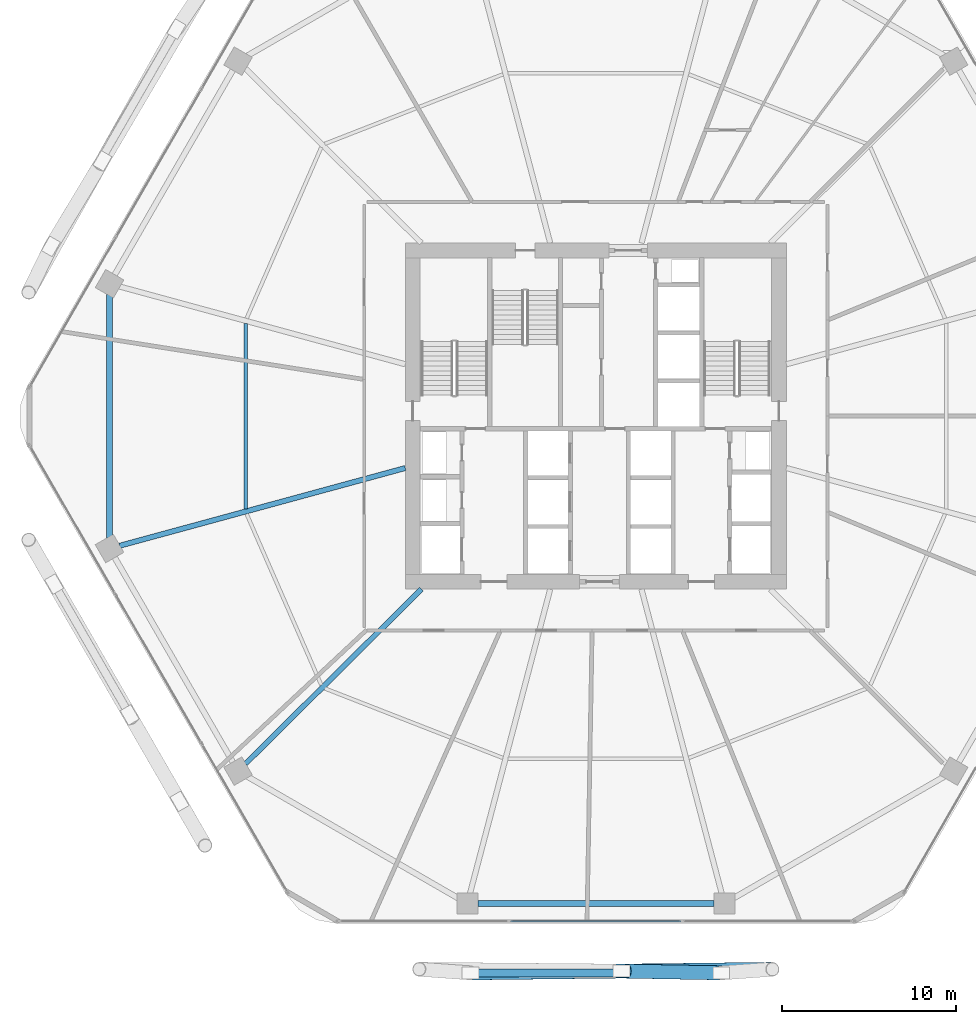
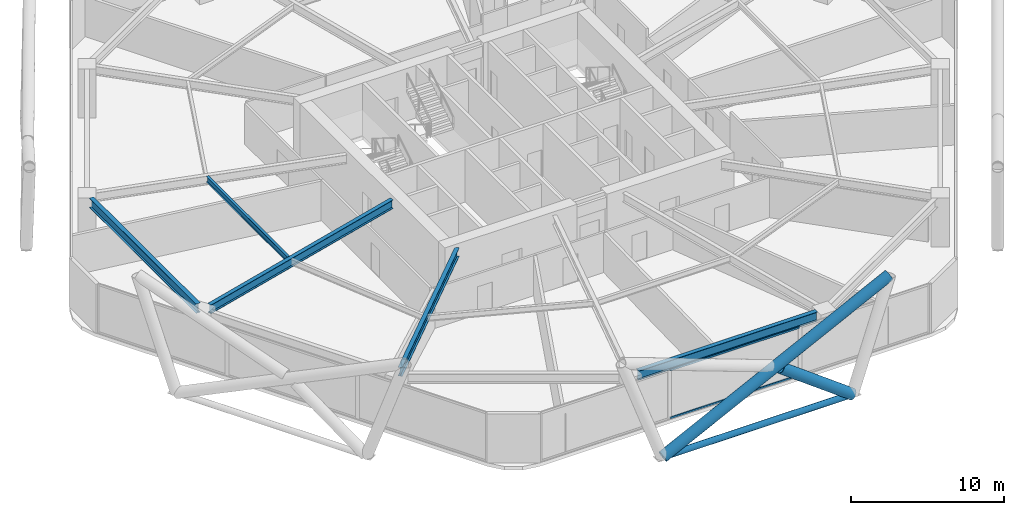
# One storey, part 6 of 28: 5 beams, 5 members, 1 element without a shape of its own.
"""IFC4 building model written with IfcOpenShell, lengths in metres."""

import ifcopenshell
import ifcopenshell.guid

model = None  # the IFC model being written
_history = None  # IfcOwnerHistory: only IFC2X3 demands one
_inside = {}  # id of a spatial element -> (the spatial element, [elements in it])
_under = {}  # id of a project, library or spatial element -> (it, [spatial elements below it])
_declared = {}  # id of a project -> (the project, [libraries it declares])
_typed = {}  # id of a type object -> (the type object, [elements of that type])
_made_of = {}  # id of a material, layer set ... -> (it, [elements and type objects made of it])


def new_model(schema):
    """Start an empty IFC model of exactly this schema.

    Asked for "IFC4X3", IfcOpenShell would pick the latest addendum, in which some entities
    have other attributes; the version numbers below select the first issue.
    IFC2X3 requires an IfcOwnerHistory on every rooted entity: one is made here for all.
    """
    global model, _history
    if schema == "IFC4X3":
        model = ifcopenshell.file(schema_version=(4, 3, 0, 0))
    else:
        model = ifcopenshell.file(schema=schema)
    _inside.clear()
    _under.clear()
    _declared.clear()
    _typed.clear()
    _made_of.clear()
    _history = None
    if model.schema == "IFC2X3":
        org = make("IfcOrganization", Name="unknown")
        user = make(
            "IfcPersonAndOrganization",
            ThePerson=make("IfcPerson", FamilyName="unknown"),
            TheOrganization=org,
        )
        app = make(
            "IfcApplication",
            ApplicationDeveloper=org,
            Version="unknown",
            ApplicationFullName="unknown",
            ApplicationIdentifier="unknown",
        )
        _history = make(
            "IfcOwnerHistory",
            OwningUser=user,
            OwningApplication=app,
            ChangeAction="ADDED",
            CreationDate=0,
        )
    return model


def make(cls, **values):
    """One entity of the class cls with the attributes given. An attribute that is None is left unset."""
    return model.create_entity(
        cls, **{name: value for name, value in values.items() if value is not None}
    )


def rooted(cls, **values):
    """An entity with a GlobalId (a new one), such as an element, a storey or a relation."""
    return make(cls, GlobalId=ifcopenshell.guid.new(), OwnerHistory=_history, **values)


def si_unit(unit_type, name, prefix=None):
    """IfcSIUnit, for example si_unit("LENGTHUNIT", "METRE", prefix="MILLI")."""
    return make("IfcSIUnit", UnitType=unit_type, Prefix=prefix, Name=name)


def assignment(units):
    """IfcUnitAssignment: the units of a project."""
    return None if units is None else make("IfcUnitAssignment", Units=units)


def point(xyz):
    """IfcCartesianPoint."""
    return None if xyz is None else make("IfcCartesianPoint", Coordinates=xyz)


def direction(xyz):
    """IfcDirection."""
    return None if xyz is None else make("IfcDirection", DirectionRatios=xyz)


def frame(location, z_axis=None, x_axis=None):
    """IfcAxis2Placement3D, a coordinate frame: its origin and axes. An axis left out is left unset."""
    return make(
        "IfcAxis2Placement3D",
        Location=point(location),
        Axis=direction(z_axis),
        RefDirection=direction(x_axis),
    )


def frame_2d(location, x_axis=None):
    """IfcAxis2Placement2D, a coordinate frame in the plane: its origin and x axis."""
    return make(
        "IfcAxis2Placement2D", Location=point(location), RefDirection=direction(x_axis)
    )


def origin():
    """The frame at (0, 0, 0) with its axes left unset."""
    return frame((0.0, 0.0, 0.0))


def origin_2d():
    """The frame at (0, 0) in the plane with its x axis left unset."""
    return frame_2d((0.0, 0.0))


def place(relative_to, where):
    """IfcLocalPlacement: puts the frame where relative to a parent placement (None: the world)."""
    return make(
        "IfcLocalPlacement", PlacementRelTo=relative_to, RelativePlacement=where
    )


def context(
    kind, dimensions, precision=None, world=None, true_north=None, identifier=None
):
    """IfcGeometricRepresentationContext, for example the 3D "Model" context."""
    return make(
        "IfcGeometricRepresentationContext",
        ContextIdentifier=identifier,
        ContextType=kind,
        CoordinateSpaceDimension=dimensions,
        Precision=precision,
        WorldCoordinateSystem=world,
        TrueNorth=true_north,
    )


def subcontext(parent, identifier, kind, view, scale=None):
    """IfcGeometricRepresentationSubContext, for example "Body" below "Model"."""
    return make(
        "IfcGeometricRepresentationSubContext",
        ContextIdentifier=identifier,
        ContextType=kind,
        ParentContext=parent,
        TargetScale=scale,
        TargetView=view,
    )


def project(units=None, contexts=None):
    """IfcProject with its units and contexts."""
    return rooted(
        "IfcProject",
        Name="project",
        RepresentationContexts=contexts,
        UnitsInContext=assignment(units),
    )


def spatial(cls, under=None, at=None, **own):
    """A site, building, storey or space (cls), placed at a placement, below another one or the project."""
    s = rooted(cls, ObjectPlacement=at, **own)
    if under is not None:
        _under.setdefault(under.id(), (under, []))[1].append(s)
    return s


def profile(cls, at=None, kind="AREA", **sizes):
    """A parametric profile (cls). Its sizes go by their IFC names, for example OverallWidth=200.0."""
    return make(cls, ProfileType=kind, Position=at, **sizes)


def hollow_rectangle(**sizes):
    """IfcRectangleHollowProfileDef."""
    return profile("IfcRectangleHollowProfileDef", **sizes)


def hollow_circle(**sizes):
    """IfcCircleHollowProfileDef."""
    return profile("IfcCircleHollowProfileDef", **sizes)


def i_section(**sizes):
    """IfcIShapeProfileDef."""
    return profile("IfcIShapeProfileDef", **sizes)


def extrude(swept, where, along, depth):
    """IfcExtrudedAreaSolid: the profile swept, set in the frame where, extruded along a direction by depth."""
    return make(
        "IfcExtrudedAreaSolid",
        SweptArea=swept,
        Position=where,
        ExtrudedDirection=direction(along),
        Depth=depth,
    )


def shape(context_of_items, identifier, shape_type, items):
    """IfcShapeRepresentation: the items that make up one representation, for example the "Body"."""
    return make(
        "IfcShapeRepresentation",
        ContextOfItems=context_of_items,
        RepresentationIdentifier=identifier,
        RepresentationType=shape_type,
        Items=items,
    )


def material(Name=None, Category=None):
    """IfcMaterial."""
    return make("IfcMaterial", Name=Name, Category=Category)


def material_profile(
    of_material, cross_section, Name=None, Category=None, Priority=None
):
    """IfcMaterialProfile: a cross section and its material."""
    return make(
        "IfcMaterialProfile",
        Name=Name,
        Material=of_material,
        Profile=cross_section,
        Priority=Priority,
        Category=Category,
    )


def profile_set(profiles, Name=None, composite=None):
    """IfcMaterialProfileSet."""
    return make(
        "IfcMaterialProfileSet",
        Name=Name,
        MaterialProfiles=profiles,
        CompositeProfile=composite,
    )


def made_of(thing, what):
    """Note that an element or type object is made of a material, layer set ...; save() writes the relation."""
    if what is not None:
        _made_of.setdefault(what.id(), (what, []))[1].append(thing)
    return thing


def type_object(cls, material=None, **own):
    """A type object (cls), such as IfcWallType, which elements share."""
    return made_of(rooted(cls, **own), material)


def element(
    cls,
    number,
    at=None,
    inside=None,
    cuts=None,
    type_object=None,
    material=None,
    context=None,
    identifier="Body",
    shape_type=None,
    held_by="IfcProductDefinitionShape",
    body=None,
    shapes=None,
    **own,
):
    """One element of the class cls, such as IfcWall. Its Tag is "e" and its number.

    at: its placement. inside: the storey or other place that contains it. cuts: it is an
    opening in that element (IfcRelVoidsElement). A single representation is given by context,
    identifier, shape_type and body (its items); several are given by shapes. held_by: the class
    of the entity that holds the representations. save() writes the other relations.
    """
    e = rooted(cls, Tag="e%d" % number, ObjectPlacement=at, **own)
    if body is not None:
        shapes = [shape(context, identifier, shape_type, body)]
    if shapes is not None:
        e.Representation = make(held_by, Representations=shapes)
    if inside is not None:
        _inside.setdefault(inside.id(), (inside, []))[1].append(e)
    if cuts is not None:
        rooted(
            "IfcRelVoidsElement", RelatingBuildingElement=cuts, RelatedOpeningElement=e
        )
    if type_object is not None:
        _typed.setdefault(type_object.id(), (type_object, []))[1].append(e)
    return made_of(e, material)


def aggregate(whole, parts):
    """IfcRelAggregates: a whole, such as a stair, and the parts it consists of."""
    return rooted("IfcRelAggregates", RelatingObject=whole, RelatedObjects=parts)


def save(model, path):
    """Write the relations noted so far, then the file.

    IfcRelAggregates (storeys below a building ...), IfcRelContainedInSpatialStructure (elements
    in a storey), IfcRelDefinesByType, IfcRelAssociatesMaterial and IfcRelDeclares: one each for
    every whole, place, type object, material and project.
    """
    for whole, parts in _under.values():
        aggregate(whole, parts)
    for where, things in _inside.values():
        rooted(
            "IfcRelContainedInSpatialStructure",
            RelatedElements=things,
            RelatingStructure=where,
        )
    for kind, things in _typed.values():
        rooted("IfcRelDefinesByType", RelatedObjects=things, RelatingType=kind)
    for what, things in _made_of.values():
        rooted("IfcRelAssociatesMaterial", RelatedObjects=things, RelatingMaterial=what)
    for by, libraries in _declared.values():
        rooted("IfcRelDeclares", RelatingContext=by, RelatedDefinitions=libraries)
    model.write(path)


model = new_model("IFC4")

# Units and contexts
model_context = context("Model", 3, precision=1e-05, world=origin(), true_north=direction((0.0, 1.0)))
body_context = subcontext(model_context, "Body", "Model", "MODEL_VIEW")
ifc_project = project(units=[si_unit("LENGTHUNIT", "METRE"), si_unit("AREAUNIT", "SQUARE_METRE"), si_unit("VOLUMEUNIT", "CUBIC_METRE"), si_unit("PLANEANGLEUNIT", "RADIAN"), si_unit("MASSUNIT", "GRAM", prefix="KILO")], contexts=[model_context])

# Site, building, storey
site_placement = place(None, origin())
site = spatial("IfcSite", under=ifc_project, at=site_placement, CompositionType="ELEMENT")
building_placement = place(site_placement, origin())
building = spatial("IfcBuilding", under=site, at=building_placement, Name="Zuhravey Tower", CompositionType="ELEMENT")
storey_placement = place(building_placement, frame((0.0, 0.0, 66.60009765625)))
storey = spatial("IfcBuildingStorey", under=building, at=storey_placement, Name="L16", CompositionType="ELEMENT", Elevation=66.60009765625)

# Curtain wall, members
ifc_material_1 = material(Name="Thermally broken anodised aluminium", Category="aluminium")
curtain_wall_type = type_object("IfcCurtainWallType", Name="School Low-E Unitised Curtain Wall CW1", PredefinedType="NOTDEFINED", material=ifc_material_1)
curtain_wall_placement = place(storey_placement, origin())
curtain_wall = element("IfcCurtainWall", 1, at=curtain_wall_placement, inside=storey, type_object=curtain_wall_type, Name="L16 CW1 CW-L16-F5-1", PredefinedType="NOTDEFINED")
ifc_material_2 = material(Name="Anodised aluminium", Category="aluminium")
ifc_material_profile_1 = material_profile(ifc_material_2, hollow_rectangle(XDim=0.090087890625, YDim=0.14990234375, WallThickness=0.0048828125, at=origin_2d()), Name="ALU-RHS-90x150x5")
ifc_profile_set_1 = profile_set([ifc_material_profile_1], Name="Anodised aluminium")
member_type_1 = type_object("IfcMemberType", Name="Curtain-Wall Transom 90x150", PredefinedType="USERDEFINED", material=ifc_profile_set_1)
member_1_placement = place(storey_placement, frame((40.88818359375, 3.04150390625, 0.044921875), z_axis=(-1.0, 0.0, 0.0), x_axis=(0.0, -1.0, 0.0)))
member_1 = element("IfcMember", 2, at=member_1_placement, type_object=member_type_1, Name="CW1 transom 2.1", ObjectType="TRANSOM", PredefinedType="USERDEFINED", context=body_context, shape_type="SweptSolid", body=[
    extrude(hollow_rectangle(XDim=0.090087890625, YDim=0.14990234375, WallThickness=0.0048828125, at=origin_2d()), origin(), (0.0, 0.0, 1.0), 9.7763671875),
])
member_2_placement = place(storey_placement, frame((40.88818359375, 3.04150390625, 3.875), z_axis=(-1.0, 0.0, 0.0), x_axis=(0.0, -1.0, 0.0)))
member_2 = element("IfcMember", 3, at=member_2_placement, type_object=member_type_1, Name="CW1 transom 2.2", ObjectType="TRANSOM", PredefinedType="USERDEFINED", context=body_context, shape_type="SweptSolid", body=[
    extrude(hollow_rectangle(XDim=0.090087890625, YDim=0.14990234375, WallThickness=0.0048828125, at=origin_2d()), origin(), (0.0, 0.0, 1.0), 9.7763671875),
])
aggregate(curtain_wall, [member_1, member_2])

# Members
ifc_material_3 = material(Name="Steel SM355", Category="steel")
ifc_material_profile_2 = material_profile(ifc_material_3, hollow_circle(Radius=0.228515625, WallThickness=0.02197265625, at=origin_2d()), Name="CHS-457.2x22")
ifc_profile_set_2 = profile_set([ifc_material_profile_2], Name="Steel SM355")
member_type_2 = type_object("IfcMemberType", Name="Exoskeleton Ring Tie CHS457x22", PredefinedType="CHORD", material=ifc_profile_set_2)
member_3_placement = place(storey_placement, frame((28.946044921875, 0.071533203125, -0.494140625), z_axis=(1.0, 0.0, 0.0), x_axis=(0.0, 1.0, 0.0)))
element("IfcMember", 4, at=member_3_placement, inside=storey, type_object=member_type_2, Name="L16 Exoskeleton Face 5 Tie EXR1", PredefinedType="CHORD", context=body_context, shape_type="SweptSolid", body=[
    extrude(hollow_circle(Radius=0.228515625, WallThickness=0.02197265625, at=origin_2d()), origin(), (0.0, 0.0, 1.0), 14.10791015625),
])
ifc_material_4 = material(Name="Steel SM460", Category="steel")
ifc_material_profile_3 = material_profile(ifc_material_4, hollow_circle(Radius=0.406494140625, WallThickness=0.035888671875, at=origin_2d()), Name="CHS-812.8x36")
ifc_profile_set_3 = profile_set([ifc_material_profile_3], Name="Steel SM460")
member_type_3 = type_object("IfcMemberType", Name="Exoskeleton Zone 1 Diagrid CHS813x36", PredefinedType="BRACE", material=ifc_profile_set_3)
member_4_placement = place(storey_placement, frame((28.8515625, 0.072021484375, -0.47216796875), z_axis=(0.89981604913, 0.010907787947, 0.43613311946), x_axis=(-0.012121351472, 0.999926533721, 0.0)))
element("IfcMember", 5, at=member_4_placement, inside=storey, type_object=member_type_3, Name="L16 Face 5 Diagrid Brace 2", PredefinedType="BRACE", context=body_context, shape_type="SweptSolid", body=[
    extrude(hollow_circle(Radius=0.406494140625, WallThickness=0.035888671875, at=origin_2d()), origin(), (0.0, 0.0, 1.0), 19.1591796875),
])
member_5_placement = place(storey_placement, frame((43.1533203125, 0.072265625, -0.46435546875), z_axis=(-0.806070539124, 0.014789948428, 0.591634636733), x_axis=(-0.018345118412, -0.999831714155, 0.0)))
element("IfcMember", 6, at=member_5_placement, inside=storey, type_object=member_type_3, Name="L16 Face 5 Split Diagrid Brace 3A", PredefinedType="BRACE", context=body_context, shape_type="SweptSolid", body=[
    extrude(hollow_circle(Radius=0.406494140625, WallThickness=0.035888671875, at=origin_2d()), origin(), (0.0, 0.0, 1.0), 6.65234375),
])

# Beams
ifc_material_profile_4 = material_profile(ifc_material_3, i_section(OverallWidth=0.320068359375, OverallDepth=0.75, WebThickness=0.013916015625, FlangeThickness=0.02490234375, at=origin_2d()), Name="H-750x320x14x25")
ifc_profile_set_4 = profile_set([ifc_material_profile_4], Name="Steel SM355")
beam_type_1 = type_object("IfcBeamType", Name="Perimeter Ring Beam H750x320", PredefinedType="BEAM", material=ifc_profile_set_4)
beam_1_placement = place(storey_placement, frame((8.11083984375, 38.988525390625, 3.544921875), z_axis=(0.0, -1.0, 0.0), x_axis=(1.0, 0.0, 0.0)))
element("IfcBeam", 7, at=beam_1_placement, inside=storey, type_object=beam_type_1, Name="L16 PB1 BM-L16-PB-06", PredefinedType="BEAM", context=body_context, shape_type="SweptSolid", body=[
    extrude(i_section(OverallWidth=0.320068359375, OverallDepth=0.75, WebThickness=0.013916015625, FlangeThickness=0.02490234375, at=origin_2d()), origin(), (0.0, 0.0, 1.0), 13.97705078125),
])
beam_2_placement = place(storey_placement, frame((29.23291015625, 4.051513671875, 3.544921875), z_axis=(1.0, 0.0, 0.0), x_axis=(0.0, 1.0, 0.0)))
element("IfcBeam", 8, at=beam_2_placement, inside=storey, type_object=beam_type_1, Name="L16 PB1 BM-L16-PB-09", PredefinedType="BEAM", context=body_context, shape_type="SweptSolid", body=[
    extrude(i_section(OverallWidth=0.320068359375, OverallDepth=0.75, WebThickness=0.013916015625, FlangeThickness=0.02490234375, at=origin_2d()), origin(), (0.0, 0.0, 1.0), 13.5341796875),
])
ifc_material_profile_5 = material_profile(ifc_material_3, i_section(OverallWidth=0.300048828125, OverallDepth=0.699951171875, WebThickness=0.012939453125, FlangeThickness=0.02392578125, at=origin_2d()), Name="H-700x300x13x24")
ifc_profile_set_5 = profile_set([ifc_material_profile_5], Name="Steel SM355")
beam_type_2 = type_object("IfcBeamType", Name="Radial Primary Girder H700x300", PredefinedType="BEAM", material=ifc_profile_set_5)
beam_3_placement = place(storey_placement, frame((25.072021484375, 29.025390625, 3.56982421875), z_axis=(-0.964892480455, -0.26264520015, 0.0), x_axis=(0.26264520015, -0.964892480455, 0.0)))
element("IfcBeam", 9, at=beam_3_placement, inside=storey, type_object=beam_type_2, Name="L16 RG1 BM-L16-RAD-07", PredefinedType="BEAM", context=body_context, shape_type="SweptSolid", body=[
    extrude(i_section(OverallWidth=0.300048828125, OverallDepth=0.699951171875, WebThickness=0.012939453125, FlangeThickness=0.02392578125, at=origin_2d()), origin(), (0.0, 0.0, 1.0), 16.975341796875),
])
beam_4_placement = place(storey_placement, frame((25.992919921875, 22.072021484375, 3.56982421875), z_axis=(-0.709902823282, -0.704299639, 0.0), x_axis=(0.704299639, -0.709902823282, 0.0)))
element("IfcBeam", 10, at=beam_4_placement, inside=storey, type_object=beam_type_2, Name="L16 RG1 BM-L16-RAD-08", PredefinedType="BEAM", context=body_context, shape_type="SweptSolid", body=[
    extrude(i_section(OverallWidth=0.300048828125, OverallDepth=0.699951171875, WebThickness=0.012939453125, FlangeThickness=0.02392578125, at=origin_2d()), origin(), (0.0, 0.0, 1.0), 14.204345703125),
])
ifc_material_profile_6 = material_profile(ifc_material_3, i_section(OverallWidth=0.199951171875, OverallDepth=0.449951171875, WebThickness=0.009033203125, FlangeThickness=0.013916015625, at=origin_2d()), Name="H-450x200x9x14")
ifc_profile_set_6 = profile_set([ifc_material_profile_6], Name="Steel SM355")
beam_type_3 = type_object("IfcBeamType", Name="Secondary Floor Joist H450x200", PredefinedType="JOIST", material=ifc_profile_set_6)
beam_5_placement = place(storey_placement, frame((15.9130859375, 37.313720703125, 3.69482421875), z_axis=(0.0, -1.0, 0.0), x_axis=(1.0, 0.0, 0.0)))
element("IfcBeam", 11, at=beam_5_placement, inside=storey, type_object=beam_type_3, Name="L16 SJ1 BM-L16-SJ-06-1", PredefinedType="JOIST", context=body_context, shape_type="SweptSolid", body=[
    extrude(i_section(OverallWidth=0.199951171875, OverallDepth=0.449951171875, WebThickness=0.009033203125, FlangeThickness=0.013916015625, at=origin_2d()), origin(), (0.0, 0.0, 1.0), 10.62744140625),
])

save(model, "model.ifc")
